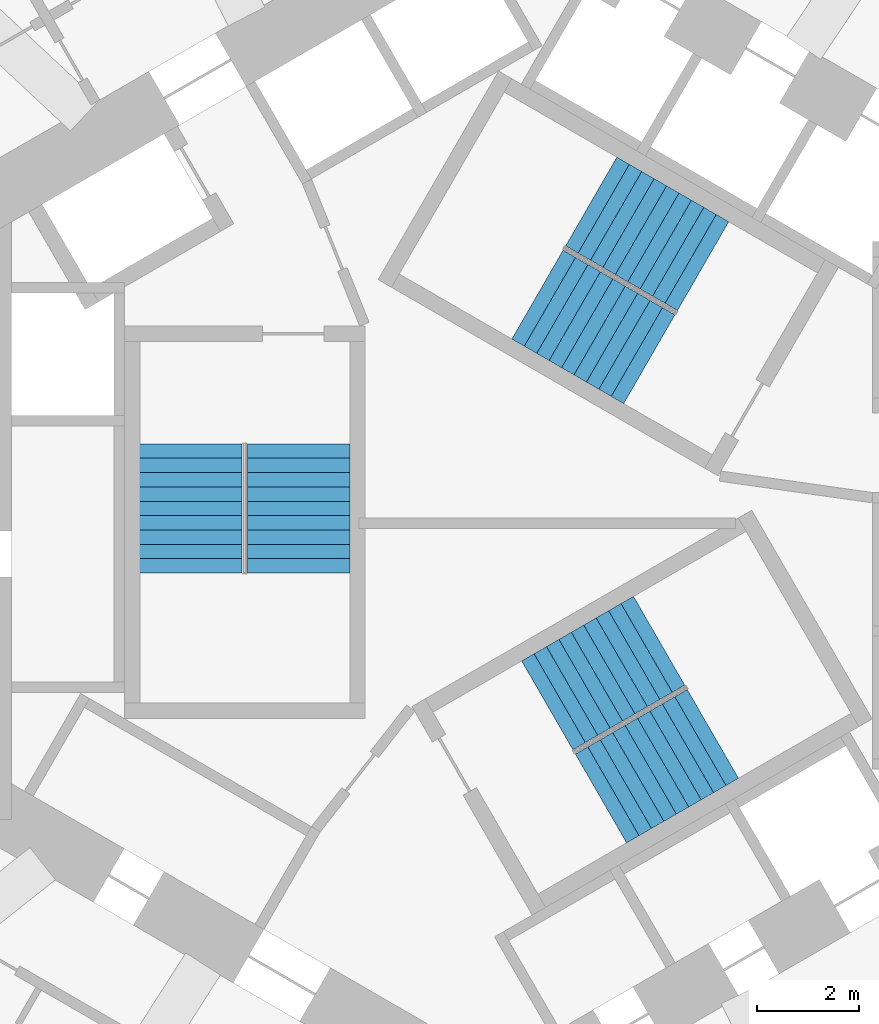
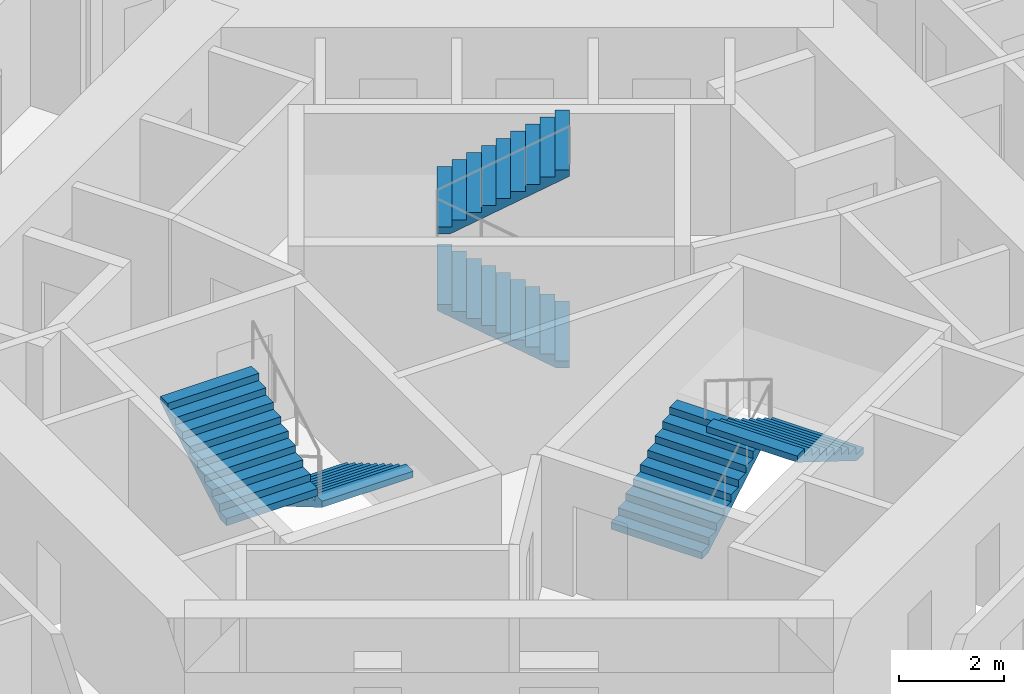
# One storey, part 10 of 12: 6 stair flights, 3 elements without a shape of their own.
"""IFC4 building model written with IfcOpenShell, lengths in metres."""

from ifc_helpers import new_model, si_unit, direction, frame, origin, place, context, subcontext, project, spatial, triangles, source, transform, mapped, material, type_object, element, aggregate, save


model = new_model("IFC4")

# Units and contexts
model_context = context("Model", 3, precision=1e-05, world=origin(), true_north=direction((0.0, 1.0)))
body_context = subcontext(model_context, "Body", "Model", "MODEL_VIEW")
ifc_project = project(units=[si_unit("LENGTHUNIT", "METRE"), si_unit("AREAUNIT", "SQUARE_METRE"), si_unit("VOLUMEUNIT", "CUBIC_METRE"), si_unit("PLANEANGLEUNIT", "RADIAN"), si_unit("MASSUNIT", "GRAM", prefix="KILO")], contexts=[model_context])

# Site, building, storey
site_placement = place(None, origin())
site = spatial("IfcSite", under=ifc_project, at=site_placement, CompositionType="ELEMENT")
building_placement = place(site_placement, origin())
building = spatial("IfcBuilding", under=site, at=building_placement, Name="Vanh Sen Convention Tower", CompositionType="ELEMENT")
storey_placement = place(building_placement, frame((0.0, 0.0, 93.5)))
storey = spatial("IfcBuildingStorey", under=building, at=storey_placement, Name="L21", CompositionType="ELEMENT", Elevation=93.5)

# Stair, stair flights
ifc_material_1 = material(Name="Concrete C50/60", Category="concrete")
stair_type_1 = type_object("IfcStairType", Name="Exit stair ST1 20 risers at 165.0", PredefinedType="HALF_TURN_STAIR", material=ifc_material_1)
stair_1_placement = place(storey_placement, origin())
stair_1 = element("IfcStair", 1, at=stair_1_placement, inside=storey, type_object=stair_type_1, Name="Exit stair ST1 L21", PredefinedType="HALF_TURN_STAIR")
ifc_material_2 = material(Name="Concrete C40/50", Category="concrete")
stair_flight_type = type_object("IfcStairFlightType", Name="Stair flight 2000", PredefinedType="STRAIGHT", material=ifc_material_2)
shared_shape = source(origin(), body_context, "Body", "Tessellation", [
    triangles([(0.24609375, 1.0, 0.0), (0.0, 1.0, 0.0), (0.0, 1.0, 0.1650390625), (0.280029296875, 1.0, 0.1650390625), (0.280029296875, 1.0, 0.330078125), (0.56005859375, 1.0, 0.330078125), (0.56005859375, 1.0, 0.4951171875), (0.840087890625, 1.0, 0.4951171875), (0.840087890625, 1.0, 0.659912109375), (1.1201171875, 1.0, 0.659912109375), (1.1201171875, 1.0, 0.824951171875), (1.39990234375, 1.0, 0.824951171875), (1.39990234375, 1.0, 0.989990234375), (1.679931640625, 1.0, 0.989990234375), (1.679931640625, 1.0, 1.155029296875), (1.9599609375, 1.0, 1.155029296875), (1.9599609375, 1.0, 1.320068359375), (2.239990234375, 1.0, 1.320068359375), (2.239990234375, 1.0, 1.485107421875), (2.52001953125, 1.0, 1.485107421875), (2.52001953125, 1.0, 1.33984375), (0.24609375, -1.0, 0.0), (0.0, -1.0, 0.0), (0.0, -1.0, 0.1650390625), (0.280029296875, -1.0, 0.1650390625), (0.280029296875, -1.0, 0.330078125), (0.56005859375, -1.0, 0.330078125), (0.56005859375, -1.0, 0.4951171875), (0.840087890625, -1.0, 0.4951171875), (0.840087890625, -1.0, 0.659912109375), (1.1201171875, -1.0, 0.659912109375), (1.1201171875, -1.0, 0.824951171875), (1.39990234375, -1.0, 0.824951171875), (1.39990234375, -1.0, 0.989990234375), (1.679931640625, -1.0, 0.989990234375), (1.679931640625, -1.0, 1.155029296875), (1.9599609375, -1.0, 1.155029296875), (1.9599609375, -1.0, 1.320068359375), (2.239990234375, -1.0, 1.320068359375), (2.239990234375, -1.0, 1.485107421875), (2.52001953125, -1.0, 1.485107421875), (2.52001953125, -1.0, 1.33984375), (0.0, 0.0400390625, 0.0), (0.0, 0.0390625, 0.0), (0.0, 0.0380859375, 0.0), (0.0, 0.037109375, 0.0), (0.0, 0.035888671875, 0.0), (0.0, 0.034912109375, 0.0), (0.0, 0.033935546875, 0.0), (0.0, 0.032958984375, 0.0), (0.0, 0.031982421875, 0.0), (0.0, 0.031005859375, 0.0), (0.0, 0.030029296875, 0.0), (0.0, 0.029052734375, 0.0), (0.0, 0.028076171875, 0.0), (0.0, 0.027099609375, 0.0), (0.0, 0.02587890625, 0.0), (0.0, 0.02490234375, 0.0), (0.0, 0.02392578125, 0.0), (0.0, 0.02294921875, 0.0), (0.0, 0.02197265625, 0.0), (0.0, 0.02099609375, 0.0), (0.0, 0.02001953125, 0.0), (0.0, 0.01904296875, 0.0), (0.0, 0.01806640625, 0.0), (0.0, 0.01708984375, 0.0), (0.0, 0.01611328125, 0.0), (0.0, 0.014892578125, 0.0), (0.0, 0.013916015625, 0.0), (0.0, 0.012939453125, 0.0), (0.0, 0.011962890625, 0.0), (0.0, 0.010986328125, 0.0), (0.0, 0.010009765625, 0.0), (0.0, 0.009033203125, 0.0), (0.0, 0.008056640625, 0.0), (0.0, 0.007080078125, 0.0), (0.0, 0.006103515625, 0.0), (0.0, 0.0048828125, 0.0), (0.0, 0.00390625, 0.0), (0.0, 0.0029296875, 0.0), (0.0, 0.001953125, 0.0), (0.0, 0.0009765625, 0.0), (0.0, 0.0, 0.0), (0.0, -0.0009765625, 0.0), (0.0, -0.001953125, 0.0), (0.0, -0.0029296875, 0.0), (0.0, -0.00390625, 0.0), (0.0, -0.0048828125, 0.0), (0.0, -0.006103515625, 0.0), (0.0, -0.007080078125, 0.0), (0.0, -0.008056640625, 0.0), (0.0, -0.009033203125, 0.0), (0.0, -0.010009765625, 0.0), (0.0, -0.010986328125, 0.0), (0.0, -0.011962890625, 0.0), (0.0, -0.012939453125, 0.0), (0.0, -0.013916015625, 0.0), (0.0, -0.014892578125, 0.0), (0.0, -0.01611328125, 0.0), (0.0, -0.01708984375, 0.0), (0.0, -0.01806640625, 0.0), (0.0, -0.01904296875, 0.0), (0.0, -0.02001953125, 0.0), (0.0, -0.02099609375, 0.0), (0.0, -0.02197265625, 0.0), (0.0, -0.02294921875, 0.0), (0.0, -0.02392578125, 0.0), (0.0, -0.02490234375, 0.0), (0.0, -0.02587890625, 0.0), (0.0, -0.027099609375, 0.0), (0.0, -0.028076171875, 0.0), (0.0, -0.029052734375, 0.0), (0.0, -0.030029296875, 0.0), (0.0, -0.031005859375, 0.0), (0.0, -0.031982421875, 0.0), (0.0, -0.032958984375, 0.0), (0.0, -0.033935546875, 0.0), (0.0, -0.034912109375, 0.0), (0.0, -0.035888671875, 0.0), (0.0, -0.037109375, 0.0), (0.0, -0.0380859375, 0.0), (0.0, -0.0390625, 0.0), (0.0, -0.0400390625, 0.0), (0.0, 0.0400390625, 0.1650390625), (0.0, 0.0390625, 0.1650390625), (0.0, 0.0380859375, 0.1650390625), (0.0, 0.037109375, 0.1650390625), (0.0, 0.035888671875, 0.1650390625), (0.0, 0.034912109375, 0.1650390625), (0.0, 0.033935546875, 0.1650390625), (0.0, 0.032958984375, 0.1650390625), (0.0, 0.031982421875, 0.1650390625), (0.0, 0.031005859375, 0.1650390625), (0.0, 0.030029296875, 0.1650390625), (0.0, 0.029052734375, 0.1650390625), (0.0, 0.028076171875, 0.1650390625), (0.0, 0.027099609375, 0.1650390625), (0.0, 0.02587890625, 0.1650390625), (0.0, 0.02490234375, 0.1650390625), (0.0, 0.02392578125, 0.1650390625), (0.0, 0.02294921875, 0.1650390625), (0.0, 0.02197265625, 0.1650390625), (0.0, 0.02099609375, 0.1650390625), (0.0, 0.02001953125, 0.1650390625), (0.0, 0.01904296875, 0.1650390625), (0.0, 0.01806640625, 0.1650390625), (0.0, 0.01708984375, 0.1650390625), (0.0, 0.01611328125, 0.1650390625), (0.0, 0.014892578125, 0.1650390625), (0.0, 0.013916015625, 0.1650390625), (0.0, 0.012939453125, 0.1650390625), (0.0, 0.011962890625, 0.1650390625), (0.0, 0.010986328125, 0.1650390625), (0.0, 0.010009765625, 0.1650390625), (0.0, 0.009033203125, 0.1650390625), (0.0, 0.008056640625, 0.1650390625), (0.0, 0.007080078125, 0.1650390625), (0.0, 0.006103515625, 0.1650390625), (0.0, 0.0048828125, 0.1650390625), (0.0, 0.00390625, 0.1650390625), (0.0, 0.0029296875, 0.1650390625), (0.0, 0.001953125, 0.1650390625), (0.0, 0.0009765625, 0.1650390625), (0.0, 0.0, 0.1650390625), (0.0, -0.0009765625, 0.1650390625), (0.0, -0.001953125, 0.1650390625), (0.0, -0.0029296875, 0.1650390625), (0.0, -0.00390625, 0.1650390625), (0.0, -0.0048828125, 0.1650390625), (0.0, -0.006103515625, 0.1650390625), (0.0, -0.007080078125, 0.1650390625), (0.0, -0.008056640625, 0.1650390625), (0.0, -0.009033203125, 0.1650390625), (0.0, -0.010009765625, 0.1650390625), (0.0, -0.010986328125, 0.1650390625), (0.0, -0.011962890625, 0.1650390625), (0.0, -0.012939453125, 0.1650390625), (0.0, -0.013916015625, 0.1650390625), (0.0, -0.014892578125, 0.1650390625), (0.0, -0.01611328125, 0.1650390625), (0.0, -0.01708984375, 0.1650390625), (0.0, -0.01806640625, 0.1650390625), (0.0, -0.01904296875, 0.1650390625), (0.0, -0.02001953125, 0.1650390625), (0.0, -0.02099609375, 0.1650390625), (0.0, -0.02197265625, 0.1650390625), (0.0, -0.02294921875, 0.1650390625), (0.0, -0.02392578125, 0.1650390625), (0.0, -0.02490234375, 0.1650390625), (0.0, -0.02587890625, 0.1650390625), (0.0, -0.027099609375, 0.1650390625), (0.0, -0.028076171875, 0.1650390625), (0.0, -0.029052734375, 0.1650390625), (0.0, -0.030029296875, 0.1650390625), (0.0, -0.031005859375, 0.1650390625), (0.0, -0.031982421875, 0.1650390625), (0.0, -0.032958984375, 0.1650390625), (0.0, -0.033935546875, 0.1650390625), (0.0, -0.034912109375, 0.1650390625), (0.0, -0.035888671875, 0.1650390625), (0.0, -0.037109375, 0.1650390625), (0.0, -0.0380859375, 0.1650390625), (0.0, -0.0390625, 0.1650390625), (0.0, -0.0400390625, 0.1650390625), (0.280029296875, 0.0, 0.1650390625), (0.280029296875, 0.0, 0.330078125), (0.56005859375, 0.0, 0.330078125), (0.56005859375, 0.0, 0.4951171875), (0.840087890625, 0.0, 0.4951171875), (0.840087890625, 0.0, 0.659912109375), (1.1201171875, 0.0, 0.659912109375), (1.1201171875, 0.0, 0.824951171875), (1.39990234375, 0.0, 0.824951171875), (1.39990234375, 0.0, 0.989990234375), (1.679931640625, 0.0, 0.989990234375), (1.679931640625, 0.0, 1.155029296875), (1.9599609375, 0.0, 1.155029296875), (1.9599609375, 0.0, 1.320068359375), (2.239990234375, 0.0, 1.320068359375), (2.239990234375, 0.0, 1.485107421875), (2.52001953125, 0.0400390625, 1.485107421875), (2.52001953125, 0.0390625, 1.485107421875), (2.52001953125, 0.0380859375, 1.485107421875), (2.52001953125, 0.037109375, 1.485107421875), (2.52001953125, 0.035888671875, 1.485107421875), (2.52001953125, 0.034912109375, 1.485107421875), (2.52001953125, 0.033935546875, 1.485107421875), (2.52001953125, 0.032958984375, 1.485107421875), (2.52001953125, 0.031982421875, 1.485107421875), (2.52001953125, 0.031005859375, 1.485107421875), (2.52001953125, 0.030029296875, 1.485107421875), (2.52001953125, 0.029052734375, 1.485107421875), (2.52001953125, 0.028076171875, 1.485107421875), (2.52001953125, 0.027099609375, 1.485107421875), (2.52001953125, 0.02587890625, 1.485107421875), (2.52001953125, 0.02490234375, 1.485107421875), (2.52001953125, 0.02392578125, 1.485107421875), (2.52001953125, 0.02294921875, 1.485107421875), (2.52001953125, 0.02197265625, 1.485107421875), (2.52001953125, 0.02099609375, 1.485107421875), (2.52001953125, 0.02001953125, 1.485107421875), (2.52001953125, 0.01904296875, 1.485107421875), (2.52001953125, 0.01806640625, 1.485107421875), (2.52001953125, 0.01708984375, 1.485107421875), (2.52001953125, 0.01611328125, 1.485107421875), (2.52001953125, 0.014892578125, 1.485107421875), (2.52001953125, 0.013916015625, 1.485107421875), (2.52001953125, 0.012939453125, 1.485107421875), (2.52001953125, 0.011962890625, 1.485107421875), (2.52001953125, 0.010986328125, 1.485107421875), (2.52001953125, 0.010009765625, 1.485107421875), (2.52001953125, 0.009033203125, 1.485107421875), (2.52001953125, 0.008056640625, 1.485107421875), (2.52001953125, 0.007080078125, 1.485107421875), (2.52001953125, 0.006103515625, 1.485107421875), (2.52001953125, 0.0048828125, 1.485107421875), (2.52001953125, 0.00390625, 1.485107421875), (2.52001953125, 0.0029296875, 1.485107421875), (2.52001953125, 0.001953125, 1.485107421875), (2.52001953125, 0.0009765625, 1.485107421875), (2.52001953125, 0.0, 1.485107421875), (2.52001953125, -0.0009765625, 1.485107421875), (2.52001953125, -0.001953125, 1.485107421875), (2.52001953125, -0.0029296875, 1.485107421875), (2.52001953125, -0.00390625, 1.485107421875), (2.52001953125, -0.0048828125, 1.485107421875), (2.52001953125, -0.006103515625, 1.485107421875), (2.52001953125, -0.007080078125, 1.485107421875), (2.52001953125, -0.008056640625, 1.485107421875), (2.52001953125, -0.009033203125, 1.485107421875), (2.52001953125, -0.010009765625, 1.485107421875), (2.52001953125, -0.010986328125, 1.485107421875), (2.52001953125, -0.011962890625, 1.485107421875), (2.52001953125, -0.012939453125, 1.485107421875), (2.52001953125, -0.013916015625, 1.485107421875), (2.52001953125, -0.014892578125, 1.485107421875), (2.52001953125, -0.01611328125, 1.485107421875), (2.52001953125, -0.01708984375, 1.485107421875), (2.52001953125, -0.01806640625, 1.485107421875), (2.52001953125, -0.01904296875, 1.485107421875), (2.52001953125, -0.02001953125, 1.485107421875), (2.52001953125, -0.02099609375, 1.485107421875), (2.52001953125, -0.02197265625, 1.485107421875), (2.52001953125, -0.02294921875, 1.485107421875), (2.52001953125, -0.02392578125, 1.485107421875), (2.52001953125, -0.02490234375, 1.485107421875), (2.52001953125, -0.02587890625, 1.485107421875), (2.52001953125, -0.027099609375, 1.485107421875), (2.52001953125, -0.028076171875, 1.485107421875), (2.52001953125, -0.029052734375, 1.485107421875), (2.52001953125, -0.030029296875, 1.485107421875), (2.52001953125, -0.031005859375, 1.485107421875), (2.52001953125, -0.031982421875, 1.485107421875), (2.52001953125, -0.032958984375, 1.485107421875), (2.52001953125, -0.033935546875, 1.485107421875), (2.52001953125, -0.034912109375, 1.485107421875), (2.52001953125, -0.035888671875, 1.485107421875), (2.52001953125, -0.037109375, 1.485107421875), (2.52001953125, -0.0380859375, 1.485107421875), (2.52001953125, -0.0390625, 1.485107421875), (2.52001953125, -0.0400390625, 1.485107421875), (2.52001953125, 0.0400390625, 1.33984375), (2.52001953125, 0.0390625, 1.33984375), (2.52001953125, 0.0380859375, 1.33984375), (2.52001953125, 0.037109375, 1.33984375), (2.52001953125, 0.035888671875, 1.33984375), (2.52001953125, 0.034912109375, 1.33984375), (2.52001953125, 0.033935546875, 1.33984375), (2.52001953125, 0.032958984375, 1.33984375), (2.52001953125, 0.031982421875, 1.33984375), (2.52001953125, 0.031005859375, 1.33984375), (2.52001953125, 0.030029296875, 1.33984375), (2.52001953125, 0.029052734375, 1.33984375), (2.52001953125, 0.028076171875, 1.33984375), (2.52001953125, 0.027099609375, 1.33984375), (2.52001953125, 0.02587890625, 1.33984375), (2.52001953125, 0.02490234375, 1.33984375), (2.52001953125, 0.02392578125, 1.33984375), (2.52001953125, 0.02294921875, 1.33984375), (2.52001953125, 0.02197265625, 1.33984375), (2.52001953125, 0.02099609375, 1.33984375), (2.52001953125, 0.02001953125, 1.33984375), (2.52001953125, 0.01904296875, 1.33984375), (2.52001953125, 0.01806640625, 1.33984375), (2.52001953125, 0.01708984375, 1.33984375), (2.52001953125, 0.01611328125, 1.33984375), (2.52001953125, 0.014892578125, 1.33984375), (2.52001953125, 0.013916015625, 1.33984375), (2.52001953125, 0.012939453125, 1.33984375), (2.52001953125, 0.011962890625, 1.33984375), (2.52001953125, 0.010986328125, 1.33984375), (2.52001953125, 0.010009765625, 1.33984375), (2.52001953125, 0.009033203125, 1.33984375), (2.52001953125, 0.008056640625, 1.33984375), (2.52001953125, 0.007080078125, 1.33984375), (2.52001953125, 0.006103515625, 1.33984375), (2.52001953125, 0.0048828125, 1.33984375), (2.52001953125, 0.00390625, 1.33984375), (2.52001953125, 0.0029296875, 1.33984375), (2.52001953125, 0.001953125, 1.33984375), (2.52001953125, 0.0009765625, 1.33984375), (2.52001953125, 0.0, 1.33984375), (2.52001953125, -0.0009765625, 1.33984375), (2.52001953125, -0.001953125, 1.33984375), (2.52001953125, -0.0029296875, 1.33984375), (2.52001953125, -0.00390625, 1.33984375), (2.52001953125, -0.0048828125, 1.33984375), (2.52001953125, -0.006103515625, 1.33984375), (2.52001953125, -0.007080078125, 1.33984375), (2.52001953125, -0.008056640625, 1.33984375), (2.52001953125, -0.009033203125, 1.33984375), (2.52001953125, -0.010009765625, 1.33984375), (2.52001953125, -0.010986328125, 1.33984375), (2.52001953125, -0.011962890625, 1.33984375), (2.52001953125, -0.012939453125, 1.33984375), (2.52001953125, -0.013916015625, 1.33984375), (2.52001953125, -0.014892578125, 1.33984375), (2.52001953125, -0.01611328125, 1.33984375), (2.52001953125, -0.01708984375, 1.33984375), (2.52001953125, -0.01806640625, 1.33984375), (2.52001953125, -0.01904296875, 1.33984375), (2.52001953125, -0.02001953125, 1.33984375), (2.52001953125, -0.02099609375, 1.33984375), (2.52001953125, -0.02197265625, 1.33984375), (2.52001953125, -0.02294921875, 1.33984375), (2.52001953125, -0.02392578125, 1.33984375), (2.52001953125, -0.02490234375, 1.33984375), (2.52001953125, -0.02587890625, 1.33984375), (2.52001953125, -0.027099609375, 1.33984375), (2.52001953125, -0.028076171875, 1.33984375), (2.52001953125, -0.029052734375, 1.33984375), (2.52001953125, -0.030029296875, 1.33984375), (2.52001953125, -0.031005859375, 1.33984375), (2.52001953125, -0.031982421875, 1.33984375), (2.52001953125, -0.032958984375, 1.33984375), (2.52001953125, -0.033935546875, 1.33984375), (2.52001953125, -0.034912109375, 1.33984375), (2.52001953125, -0.035888671875, 1.33984375), (2.52001953125, -0.037109375, 1.33984375), (2.52001953125, -0.0380859375, 1.33984375), (2.52001953125, -0.0390625, 1.33984375), (2.52001953125, -0.0400390625, 1.33984375), (0.24609375, 0.0, 0.0)], [[1, 2, 3], [1, 3, 4], [4, 5, 6], [1, 4, 6], [6, 7, 8], [1, 6, 8], [8, 9, 10], [1, 8, 10], [10, 11, 12], [1, 10, 12], [12, 13, 14], [1, 12, 14], [14, 15, 16], [1, 14, 16], [16, 17, 18], [1, 16, 18], [18, 19, 20], [1, 18, 20], [20, 21, 1], [22, 24, 23], [22, 25, 24], [25, 27, 26], [22, 27, 25], [27, 29, 28], [22, 29, 27], [29, 31, 30], [22, 31, 29], [31, 33, 32], [22, 33, 31], [33, 35, 34], [22, 35, 33], [35, 37, 36], [22, 37, 35], [37, 39, 38], [22, 39, 37], [39, 41, 40], [22, 41, 39], [41, 22, 42], [2, 124, 3], [2, 43, 124], [43, 125, 124], [43, 44, 125], [44, 126, 125], [44, 45, 126], [45, 127, 126], [45, 46, 127], [46, 128, 127], [46, 47, 128], [47, 129, 128], [47, 48, 129], [48, 130, 129], [48, 49, 130], [49, 131, 130], [49, 50, 131], [50, 132, 131], [50, 51, 132], [51, 133, 132], [51, 52, 133], [52, 134, 133], [52, 53, 134], [53, 135, 134], [53, 54, 135], [54, 136, 135], [54, 55, 136], [55, 137, 136], [55, 56, 137], [56, 138, 137], [56, 57, 138], [57, 139, 138], [57, 58, 139], [58, 140, 139], [58, 59, 140], [59, 141, 140], [59, 60, 141], [60, 142, 141], [60, 61, 142], [61, 143, 142], [61, 62, 143], [62, 144, 143], [62, 63, 144], [63, 145, 144], [63, 64, 145], [64, 146, 145], [64, 65, 146], [65, 147, 146], [65, 66, 147], [66, 148, 147], [66, 67, 148], [67, 149, 148], [67, 68, 149], [68, 150, 149], [68, 69, 150], [69, 151, 150], [69, 70, 151], [70, 152, 151], [70, 71, 152], [71, 153, 152], [71, 72, 153], [72, 154, 153], [72, 73, 154], [73, 155, 154], [73, 74, 155], [74, 156, 155], [74, 75, 156], [75, 157, 156], [75, 76, 157], [76, 158, 157], [76, 77, 158], [77, 159, 158], [77, 78, 159], [78, 160, 159], [78, 79, 160], [79, 161, 160], [79, 80, 161], [80, 162, 161], [80, 81, 162], [81, 163, 162], [81, 82, 163], [82, 164, 163], [82, 83, 164], [83, 84, 164], [164, 84, 165], [84, 85, 165], [165, 85, 166], [85, 86, 166], [166, 86, 167], [86, 87, 167], [167, 87, 168], [87, 88, 168], [168, 88, 169], [88, 89, 169], [169, 89, 170], [89, 90, 170], [170, 90, 171], [90, 91, 171], [171, 91, 172], [91, 92, 172], [172, 92, 173], [92, 93, 173], [173, 93, 174], [93, 94, 174], [174, 94, 175], [94, 95, 175], [175, 95, 176], [95, 96, 176], [176, 96, 177], [96, 97, 177], [177, 97, 178], [97, 98, 178], [178, 98, 179], [98, 99, 179], [179, 99, 180], [99, 100, 180], [180, 100, 181], [100, 101, 181], [181, 101, 182], [101, 102, 182], [182, 102, 183], [102, 103, 183], [183, 103, 184], [103, 104, 184], [184, 104, 185], [104, 105, 185], [185, 105, 186], [105, 106, 186], [186, 106, 187], [106, 107, 187], [187, 107, 188], [107, 108, 188], [188, 108, 189], [108, 109, 189], [189, 109, 190], [109, 110, 190], [190, 110, 191], [110, 111, 191], [191, 111, 192], [111, 112, 192], [192, 112, 193], [112, 113, 193], [193, 113, 194], [113, 114, 194], [194, 114, 195], [114, 115, 195], [195, 115, 196], [115, 116, 196], [196, 116, 197], [116, 117, 197], [197, 117, 198], [117, 118, 198], [198, 118, 199], [118, 119, 199], [199, 119, 200], [119, 120, 200], [200, 120, 201], [120, 121, 201], [201, 121, 202], [121, 122, 202], [202, 122, 203], [122, 123, 203], [203, 123, 204], [123, 23, 204], [204, 23, 24], [4, 3, 124], [4, 124, 125], [4, 125, 126], [4, 126, 127], [4, 127, 128], [4, 128, 129], [4, 129, 130], [4, 130, 131], [4, 131, 132], [4, 132, 133], [4, 133, 134], [4, 134, 135], [4, 135, 136], [4, 136, 137], [4, 137, 138], [4, 138, 139], [4, 139, 140], [4, 140, 141], [4, 141, 142], [4, 142, 143], [4, 143, 144], [4, 144, 145], [4, 145, 146], [4, 146, 147], [4, 147, 148], [4, 148, 149], [4, 149, 150], [4, 150, 151], [4, 151, 152], [4, 152, 153], [4, 153, 154], [4, 154, 155], [4, 155, 156], [4, 156, 157], [4, 157, 158], [4, 158, 159], [4, 159, 160], [4, 160, 161], [4, 161, 162], [4, 162, 163], [4, 163, 164], [25, 164, 165], [25, 165, 166], [25, 166, 167], [25, 167, 168], [25, 168, 169], [25, 169, 170], [25, 170, 171], [25, 171, 172], [25, 172, 173], [25, 173, 174], [25, 174, 175], [25, 175, 176], [25, 176, 177], [25, 177, 178], [25, 178, 179], [25, 179, 180], [25, 180, 181], [25, 181, 182], [25, 182, 183], [25, 183, 184], [25, 184, 185], [25, 185, 186], [25, 186, 187], [25, 187, 188], [25, 188, 189], [25, 189, 190], [25, 190, 191], [25, 191, 192], [25, 192, 193], [25, 193, 194], [25, 194, 195], [25, 195, 196], [25, 196, 197], [25, 197, 198], [25, 198, 199], [25, 199, 200], [25, 200, 201], [25, 201, 202], [25, 202, 203], [25, 203, 204], [25, 204, 24], [4, 164, 205], [25, 205, 164], [4, 206, 5], [4, 205, 206], [205, 25, 206], [206, 25, 26], [5, 207, 6], [5, 206, 207], [206, 26, 207], [207, 26, 27], [6, 208, 7], [6, 207, 208], [207, 27, 208], [208, 27, 28], [7, 209, 8], [7, 208, 209], [208, 28, 209], [209, 28, 29], [8, 210, 9], [8, 209, 210], [209, 29, 210], [210, 29, 30], [9, 211, 10], [9, 210, 211], [210, 30, 211], [211, 30, 31], [10, 212, 11], [10, 211, 212], [211, 31, 212], [212, 31, 32], [11, 213, 12], [11, 212, 213], [212, 32, 213], [213, 32, 33], [12, 214, 13], [12, 213, 214], [213, 33, 214], [214, 33, 34], [13, 215, 14], [13, 214, 215], [214, 34, 215], [215, 34, 35], [14, 216, 15], [14, 215, 216], [215, 35, 216], [216, 35, 36], [15, 217, 16], [15, 216, 217], [216, 36, 217], [217, 36, 37], [16, 218, 17], [16, 217, 218], [217, 37, 218], [218, 37, 38], [17, 219, 18], [17, 218, 219], [218, 38, 219], [219, 38, 39], [18, 220, 19], [18, 219, 220], [219, 39, 220], [220, 39, 40], [19, 221, 20], [19, 222, 221], [19, 223, 222], [19, 224, 223], [19, 225, 224], [19, 226, 225], [19, 227, 226], [19, 228, 227], [19, 229, 228], [19, 230, 229], [19, 231, 230], [19, 232, 231], [19, 233, 232], [19, 234, 233], [19, 235, 234], [19, 236, 235], [19, 237, 236], [19, 238, 237], [19, 239, 238], [19, 240, 239], [19, 241, 240], [19, 242, 241], [19, 243, 242], [19, 244, 243], [19, 245, 244], [19, 246, 245], [19, 247, 246], [19, 248, 247], [19, 249, 248], [19, 250, 249], [19, 251, 250], [19, 252, 251], [19, 253, 252], [19, 254, 253], [19, 255, 254], [19, 256, 255], [19, 257, 256], [19, 258, 257], [19, 259, 258], [19, 260, 259], [19, 261, 260], [40, 262, 261], [40, 263, 262], [40, 264, 263], [40, 265, 264], [40, 266, 265], [40, 267, 266], [40, 268, 267], [40, 269, 268], [40, 270, 269], [40, 271, 270], [40, 272, 271], [40, 273, 272], [40, 274, 273], [40, 275, 274], [40, 276, 275], [40, 277, 276], [40, 278, 277], [40, 279, 278], [40, 280, 279], [40, 281, 280], [40, 282, 281], [40, 283, 282], [40, 284, 283], [40, 285, 284], [40, 286, 285], [40, 287, 286], [40, 288, 287], [40, 289, 288], [40, 290, 289], [40, 291, 290], [40, 292, 291], [40, 293, 292], [40, 294, 293], [40, 295, 294], [40, 296, 295], [40, 297, 296], [40, 298, 297], [40, 299, 298], [40, 300, 299], [40, 301, 300], [40, 41, 301], [19, 220, 261], [40, 261, 220], [20, 302, 21], [20, 221, 302], [221, 303, 302], [221, 222, 303], [222, 304, 303], [222, 223, 304], [223, 305, 304], [223, 224, 305], [224, 306, 305], [224, 225, 306], [225, 307, 306], [225, 226, 307], [226, 308, 307], [226, 227, 308], [227, 309, 308], [227, 228, 309], [228, 310, 309], [228, 229, 310], [229, 311, 310], [229, 230, 311], [230, 312, 311], [230, 231, 312], [231, 313, 312], [231, 232, 313], [232, 314, 313], [232, 233, 314], [233, 315, 314], [233, 234, 315], [234, 316, 315], [234, 235, 316], [235, 317, 316], [235, 236, 317], [236, 318, 317], [236, 237, 318], [237, 319, 318], [237, 238, 319], [238, 320, 319], [238, 239, 320], [239, 321, 320], [239, 240, 321], [240, 322, 321], [240, 241, 322], [241, 323, 322], [241, 242, 323], [242, 324, 323], [242, 243, 324], [243, 325, 324], [243, 244, 325], [244, 326, 325], [244, 245, 326], [245, 327, 326], [245, 246, 327], [246, 328, 327], [246, 247, 328], [247, 329, 328], [247, 248, 329], [248, 330, 329], [248, 249, 330], [249, 331, 330], [249, 250, 331], [250, 332, 331], [250, 251, 332], [251, 333, 332], [251, 252, 333], [252, 334, 333], [252, 253, 334], [253, 335, 334], [253, 254, 335], [254, 336, 335], [254, 255, 336], [255, 337, 336], [255, 256, 337], [256, 338, 337], [256, 257, 338], [257, 339, 338], [257, 258, 339], [258, 340, 339], [258, 259, 340], [259, 341, 340], [259, 260, 341], [260, 342, 341], [260, 261, 342], [261, 262, 342], [342, 262, 343], [262, 263, 343], [343, 263, 344], [263, 264, 344], [344, 264, 345], [264, 265, 345], [345, 265, 346], [265, 266, 346], [346, 266, 347], [266, 267, 347], [347, 267, 348], [267, 268, 348], [348, 268, 349], [268, 269, 349], [349, 269, 350], [269, 270, 350], [350, 270, 351], [270, 271, 351], [351, 271, 352], [271, 272, 352], [352, 272, 353], [272, 273, 353], [353, 273, 354], [273, 274, 354], [354, 274, 355], [274, 275, 355], [355, 275, 356], [275, 276, 356], [356, 276, 357], [276, 277, 357], [357, 277, 358], [277, 278, 358], [358, 278, 359], [278, 279, 359], [359, 279, 360], [279, 280, 360], [360, 280, 361], [280, 281, 361], [361, 281, 362], [281, 282, 362], [362, 282, 363], [282, 283, 363], [363, 283, 364], [283, 284, 364], [364, 284, 365], [284, 285, 365], [365, 285, 366], [285, 286, 366], [366, 286, 367], [286, 287, 367], [367, 287, 368], [287, 288, 368], [368, 288, 369], [288, 289, 369], [369, 289, 370], [289, 290, 370], [370, 290, 371], [290, 291, 371], [371, 291, 372], [291, 292, 372], [372, 292, 373], [292, 293, 373], [373, 293, 374], [293, 294, 374], [374, 294, 375], [294, 295, 375], [375, 295, 376], [295, 296, 376], [376, 296, 377], [296, 297, 377], [377, 297, 378], [297, 298, 378], [378, 298, 379], [298, 299, 379], [379, 299, 380], [299, 300, 380], [380, 300, 381], [300, 301, 381], [381, 301, 382], [301, 41, 382], [382, 41, 42], [1, 21, 302], [1, 302, 303], [1, 303, 304], [1, 304, 305], [1, 305, 306], [1, 306, 307], [1, 307, 308], [1, 308, 309], [1, 309, 310], [1, 310, 311], [1, 311, 312], [1, 312, 313], [1, 313, 314], [1, 314, 315], [1, 315, 316], [1, 316, 317], [1, 317, 318], [1, 318, 319], [1, 319, 320], [1, 320, 321], [1, 321, 322], [1, 322, 323], [1, 323, 324], [1, 324, 325], [1, 325, 326], [1, 326, 327], [1, 327, 328], [1, 328, 329], [1, 329, 330], [1, 330, 331], [1, 331, 332], [1, 332, 333], [1, 333, 334], [1, 334, 335], [1, 335, 336], [1, 336, 337], [1, 337, 338], [1, 338, 339], [1, 339, 340], [1, 340, 341], [1, 341, 342], [22, 342, 343], [22, 343, 344], [22, 344, 345], [22, 345, 346], [22, 346, 347], [22, 347, 348], [22, 348, 349], [22, 349, 350], [22, 350, 351], [22, 351, 352], [22, 352, 353], [22, 353, 354], [22, 354, 355], [22, 355, 356], [22, 356, 357], [22, 357, 358], [22, 358, 359], [22, 359, 360], [22, 360, 361], [22, 361, 362], [22, 362, 363], [22, 363, 364], [22, 364, 365], [22, 365, 366], [22, 366, 367], [22, 367, 368], [22, 368, 369], [22, 369, 370], [22, 370, 371], [22, 371, 372], [22, 372, 373], [22, 373, 374], [22, 374, 375], [22, 375, 376], [22, 376, 377], [22, 377, 378], [22, 378, 379], [22, 379, 380], [22, 380, 381], [22, 381, 382], [22, 382, 42], [1, 342, 383], [22, 383, 342], [1, 43, 2], [1, 44, 43], [1, 45, 44], [1, 46, 45], [1, 47, 46], [1, 48, 47], [1, 49, 48], [1, 50, 49], [1, 51, 50], [1, 52, 51], [1, 53, 52], [1, 54, 53], [1, 55, 54], [1, 56, 55], [1, 57, 56], [1, 58, 57], [1, 59, 58], [1, 60, 59], [1, 61, 60], [1, 62, 61], [1, 63, 62], [1, 64, 63], [1, 65, 64], [1, 66, 65], [1, 67, 66], [1, 68, 67], [1, 69, 68], [1, 70, 69], [1, 71, 70], [1, 72, 71], [1, 73, 72], [1, 74, 73], [1, 75, 74], [1, 76, 75], [1, 77, 76], [1, 78, 77], [1, 79, 78], [1, 80, 79], [1, 81, 80], [1, 82, 81], [1, 83, 82], [22, 84, 83], [22, 85, 84], [22, 86, 85], [22, 87, 86], [22, 88, 87], [22, 89, 88], [22, 90, 89], [22, 91, 90], [22, 92, 91], [22, 93, 92], [22, 94, 93], [22, 95, 94], [22, 96, 95], [22, 97, 96], [22, 98, 97], [22, 99, 98], [22, 100, 99], [22, 101, 100], [22, 102, 101], [22, 103, 102], [22, 104, 103], [22, 105, 104], [22, 106, 105], [22, 107, 106], [22, 108, 107], [22, 109, 108], [22, 110, 109], [22, 111, 110], [22, 112, 111], [22, 113, 112], [22, 114, 113], [22, 115, 114], [22, 116, 115], [22, 117, 116], [22, 118, 117], [22, 119, 118], [22, 120, 119], [22, 121, 120], [22, 122, 121], [22, 123, 122], [22, 23, 123], [1, 383, 83], [22, 83, 383]], closed=True),
])
stair_flight_1_placement = place(storey_placement, frame((2.94580078125, 2.802490234375, 0.0), z_axis=(0.0, 0.0, 1.0), x_axis=(-0.866025403784, 0.5, 0.0)))
stair_flight_1 = element("IfcStairFlight", 2, at=stair_flight_1_placement, type_object=stair_flight_type, Name="ST1 flight 1", NumberOfRisers=10, NumberOfTreads=9, PredefinedType="STRAIGHT", RiserHeight=0.165, TreadLength=0.28, context=body_context, shape_type="MappedRepresentation", body=[
    mapped(shared_shape, transform((0.0, 0.0, 0.0))),
])
stair_flight_2_placement = place(storey_placement, frame((1.8134765625, 5.881103515625, 1.64990234375), z_axis=(0.0, 0.0, 1.0), x_axis=(0.866025403784, -0.5, 0.0)))
stair_flight_2 = element("IfcStairFlight", 3, at=stair_flight_2_placement, type_object=stair_flight_type, Name="ST1 flight 2", NumberOfRisers=10, NumberOfTreads=9, PredefinedType="STRAIGHT", RiserHeight=0.165, TreadLength=0.28, context=body_context, shape_type="MappedRepresentation", body=[
    mapped(shared_shape, transform((0.0, 0.0, 0.0))),
])
aggregate(stair_1, [stair_flight_1, stair_flight_2])

stair_type_2 = type_object("IfcStairType", Name="Exit stair ST2 20 risers at 165.0", PredefinedType="HALF_TURN_STAIR", material=ifc_material_1)
stair_2_placement = place(storey_placement, origin())
stair_2 = element("IfcStair", 4, at=stair_2_placement, inside=storey, type_object=stair_type_2, Name="Exit stair ST2 L21", PredefinedType="HALF_TURN_STAIR")
stair_flight_3_placement = place(storey_placement, frame((-3.89990234375, 1.14990234375, 0.0), z_axis=(0.0, 0.0, 1.0), x_axis=(0.0, -1.0, 0.0)))
stair_flight_3 = element("IfcStairFlight", 5, at=stair_flight_3_placement, type_object=stair_flight_type, Name="ST2 flight 1", NumberOfRisers=10, NumberOfTreads=9, PredefinedType="STRAIGHT", RiserHeight=0.165, TreadLength=0.28, context=body_context, shape_type="MappedRepresentation", body=[
    mapped(shared_shape, transform((0.0, 0.0, 0.0))),
])
stair_flight_4_placement = place(storey_placement, frame((-6.0, -1.3701171875, 1.64990234375), z_axis=(0.0, 0.0, 1.0), x_axis=(0.0, 1.0, 0.0)))
stair_flight_4 = element("IfcStairFlight", 6, at=stair_flight_4_placement, type_object=stair_flight_type, Name="ST2 flight 2", NumberOfRisers=10, NumberOfTreads=9, PredefinedType="STRAIGHT", RiserHeight=0.165, TreadLength=0.28, context=body_context, shape_type="MappedRepresentation", body=[
    mapped(shared_shape, transform((0.0, 0.0, 0.0))),
])
aggregate(stair_2, [stair_flight_3, stair_flight_4])

stair_type_3 = type_object("IfcStairType", Name="Exit stair ST3 20 risers at 165.0", PredefinedType="HALF_TURN_STAIR", material=ifc_material_1)
stair_3_placement = place(storey_placement, origin())
stair_3 = element("IfcStair", 7, at=stair_3_placement, inside=storey, type_object=stair_type_3, Name="Exit stair ST3 L21", PredefinedType="HALF_TURN_STAIR")
stair_flight_5_placement = place(storey_placement, frame((0.9541015625, -3.952392578125, 0.0), z_axis=(0.0, 0.0, 1.0), x_axis=(0.866025403784, 0.5, 0.0)))
stair_flight_5 = element("IfcStairFlight", 8, at=stair_flight_5_placement, type_object=stair_flight_type, Name="ST3 flight 1", NumberOfRisers=10, NumberOfTreads=9, PredefinedType="STRAIGHT", RiserHeight=0.165, TreadLength=0.28, context=body_context, shape_type="MappedRepresentation", body=[
    mapped(shared_shape, transform((0.0, 0.0, 0.0))),
])
stair_flight_6_placement = place(storey_placement, frame((4.1865234375, -4.51123046875, 1.64990234375), z_axis=(0.0, 0.0, 1.0), x_axis=(-0.866025403784, -0.5, 0.0)))
stair_flight_6 = element("IfcStairFlight", 9, at=stair_flight_6_placement, type_object=stair_flight_type, Name="ST3 flight 2", NumberOfRisers=10, NumberOfTreads=9, PredefinedType="STRAIGHT", RiserHeight=0.165, TreadLength=0.28, context=body_context, shape_type="MappedRepresentation", body=[
    mapped(shared_shape, transform((0.0, 0.0, 0.0))),
])
aggregate(stair_3, [stair_flight_5, stair_flight_6])

save(model, "model.ifc")
